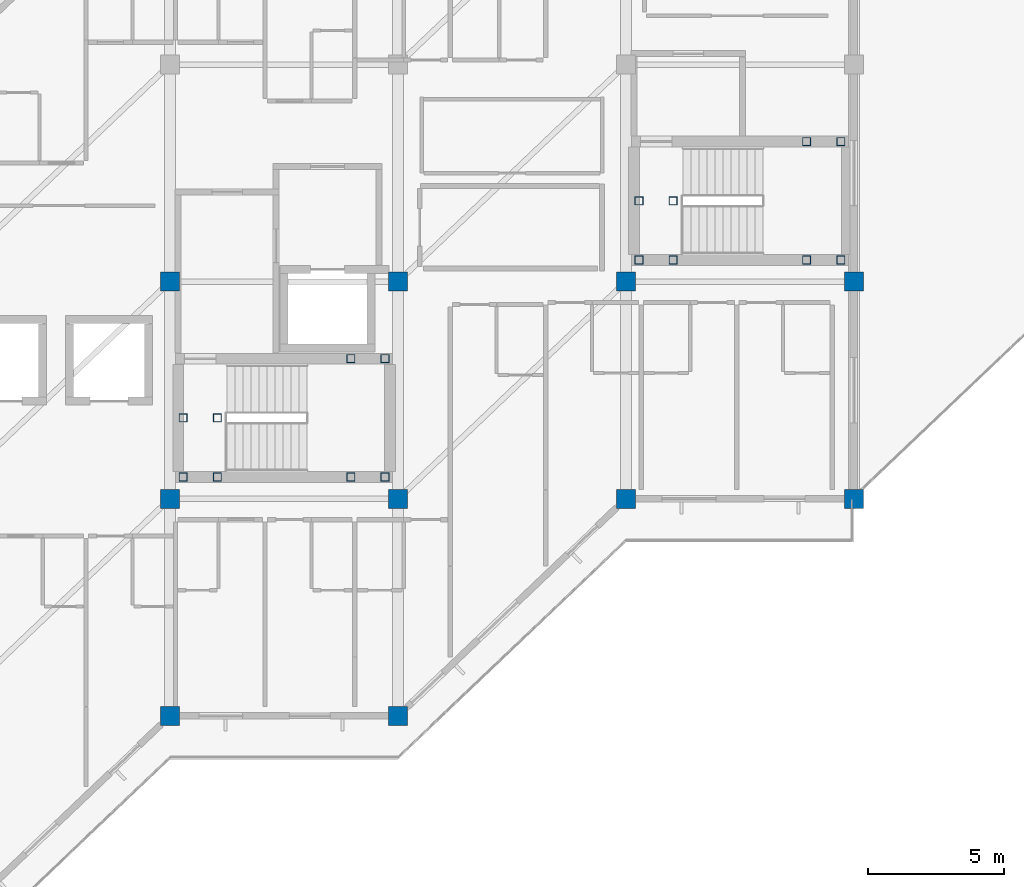
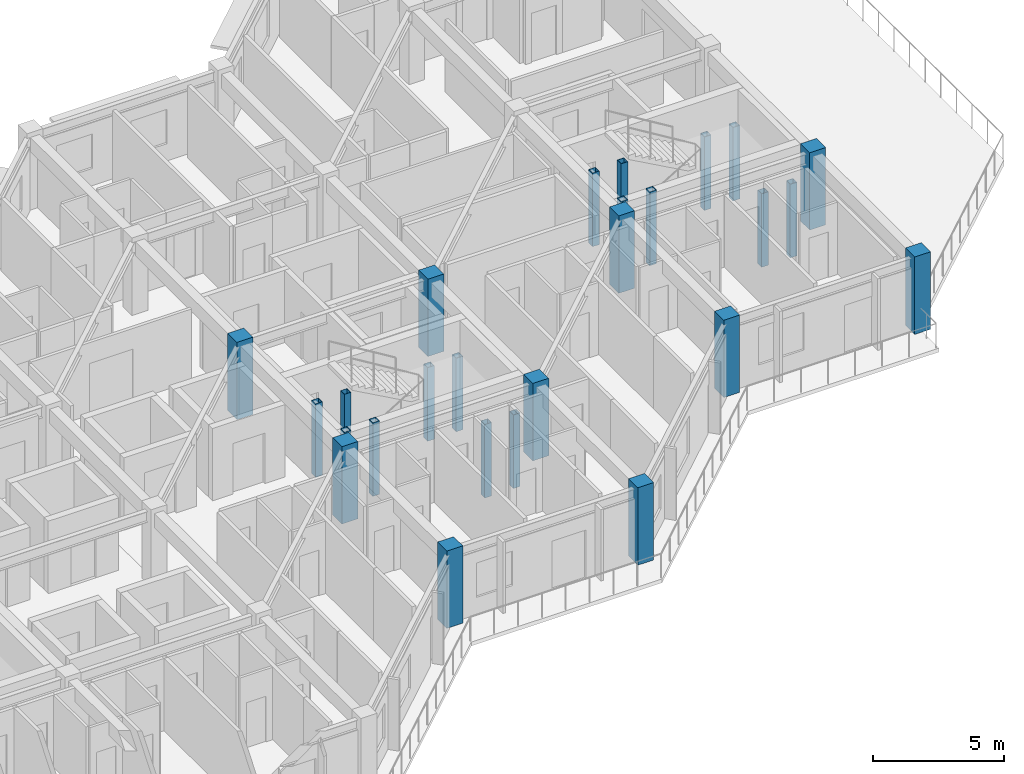
# One storey, part 2 of 16: 26 columns.
"""IFC4 building model written with IfcOpenShell, lengths in metres."""

from ifc_helpers import new_model, si_unit, direction, frame, origin, origin_2d, place, context, subcontext, project, spatial, rectangle, hollow_rectangle, extrude, material, material_profile, profile_set, type_object, element, save


model = new_model("IFC4")

# Units and contexts
model_context = context("Model", 3, precision=1e-05, world=origin(), true_north=direction((0.0, 1.0)))
body_context = subcontext(model_context, "Body", "Model", "MODEL_VIEW")
ifc_project = project(units=[si_unit("LENGTHUNIT", "METRE"), si_unit("AREAUNIT", "SQUARE_METRE"), si_unit("VOLUMEUNIT", "CUBIC_METRE"), si_unit("PLANEANGLEUNIT", "RADIAN"), si_unit("MASSUNIT", "GRAM", prefix="KILO")], contexts=[model_context])

# Site, building, storey
site_placement = place(None, origin())
site = spatial("IfcSite", under=ifc_project, at=site_placement, CompositionType="ELEMENT")
building_placement = place(site_placement, origin())
building = spatial("IfcBuilding", under=site, at=building_placement, Name="Naruveol Harbour Congress Hotel", CompositionType="ELEMENT")
storey_placement = place(building_placement, frame((0.0, 0.0, 28.800048828125)))
storey = spatial("IfcBuildingStorey", under=building, at=storey_placement, Name="L06", CompositionType="ELEMENT", Elevation=28.800048828125)

# Columns
ifc_material_1 = material(Name="Concrete C40/50", Category="concrete")
ifc_material_profile_1 = material_profile(ifc_material_1, rectangle(XDim=0.699951171875, YDim=0.699951171875, at=origin_2d()), Name="RC-700x700")
ifc_profile_set_1 = profile_set([ifc_material_profile_1], Name="Concrete C40/50")
column_type_1 = type_object("IfcColumnType", Name="RC HOTEL COLUMN 700X700", PredefinedType="COLUMN", material=ifc_profile_set_1)
for number, where, z_axis, x_axis, name in (
    (1, (151.199951171875, 8.0, 0.0), (0.0, 0.0, 1.0), (1.0, 0.0, 0.0), "Column C-700 L06 (151.2,8.0)"),
    (2, (151.199951171875, 24.0, 0.0), (0.0, 0.0, 1.0), (1.0, 0.0, 0.0), "Column C-700 L06 (151.2,24.0)"),
    (3, (159.60009765625, 8.0, 0.0), (0.0, 0.0, 1.0), (1.0, 0.0, 0.0), "Column C-700 L06 (159.6,8.0)"),
    (4, (159.60009765625, 24.0, 0.0), (0.0, 0.0, 1.0), (1.0, 0.0, 0.0), "Column C-700 L06 (159.6,24.0)"),
    (5, (168.0, 16.0, 0.0), (0.0, 0.0, 1.0), (1.0, 0.0, 0.0), "Column C-700 L06 (168.0,16.0)"),
    (6, (176.39990234375, 16.0, 0.0), (0.0, 0.0, 1.0), (1.0, 0.0, 0.0), "Column C-700 L06 (176.4,16.0)"),
    (7, (151.199951171875, 16.0, 0.0), (0.0, 0.0, 1.0), (1.0, 0.0, 0.0), "Planted hotel column C-700 L06 S4/J1"),
    (8, (159.60009765625, 16.0, 0.0), (0.0, 0.0, 1.0), (1.0, 0.0, 0.0), "Planted hotel column C-700 L06 S5/J1"),
    (9, (168.0, 24.0, 0.0), (0.0, 0.0, 1.0), (1.0, 0.0, 0.0), "Planted hotel column C-700 L06 S6/J1"),
    (10, (176.39990234375, 24.0, 0.0), (0.0, 0.0, 1.0), (1.0, 0.0, 0.0), "Planted hotel column C-700 L06 S7/J1"),
):
    element("IfcColumn", number, at=place(storey_placement, frame(where, z_axis=z_axis, x_axis=x_axis)), inside=storey, type_object=column_type_1, Name=name, PredefinedType="COLUMN", context=body_context, shape_type="SweptSolid", body=[
        extrude(rectangle(XDim=0.699951171875, YDim=0.699951171875, at=origin_2d()), origin(), (0.0, 0.0, 1.0), 3.599853515625),
    ])
ifc_material_2 = material(Name="Steel SN490", Category="steel")
ifc_material_profile_2 = material_profile(ifc_material_2, hollow_rectangle(XDim=0.300048828125, YDim=0.300048828125, WallThickness=0.011962890625, at=origin_2d()), Name="SHS-300x300x12")
ifc_profile_set_2 = profile_set([ifc_material_profile_2], Name="Steel SN490")
column_type_2 = type_object("IfcColumnType", Name="STEEL COLONNADE POST SHS300", PredefinedType="COLUMN", material=ifc_profile_set_2)
for number, where, z_axis, x_axis, name in (
    (11, (151.679931640625, 16.800048828125, 0.0), (0.0, 0.0, 1.0), (1.0, 0.0, 0.0), "Stair landing support post ST2W #104"),
    (12, (151.679931640625, 18.97998046875, 0.0), (0.0, 0.0, 1.0), (1.0, 0.0, 0.0), "Stair landing support post ST2W #116"),
    (13, (152.93994140625, 16.800048828125, 0.0), (0.0, 0.0, 1.0), (1.0, 0.0, 0.0), "Stair landing support post ST2W #128"),
    (14, (152.93994140625, 18.97998046875, 0.0), (0.0, 0.0, 1.0), (1.0, 0.0, 0.0), "Stair landing support post ST2W #140"),
    (15, (157.860107421875, 16.800048828125, -1.800048828125), (0.0, 0.0, 1.0), (1.0, 0.0, 0.0), "Stair landing support post ST2E #152"),
    (16, (157.860107421875, 21.159912109375, -1.800048828125), (0.0, 0.0, 1.0), (1.0, 0.0, 0.0), "Stair landing support post ST2E #164"),
    (17, (159.1201171875, 16.800048828125, -1.800048828125), (0.0, 0.0, 1.0), (1.0, 0.0, 0.0), "Stair landing support post ST2E #176"),
    (18, (159.1201171875, 21.159912109375, -1.800048828125), (0.0, 0.0, 1.0), (1.0, 0.0, 0.0), "Stair landing support post ST2E #188"),
    (19, (168.47998046875, 24.800048828125, 0.0), (0.0, 0.0, 1.0), (1.0, 0.0, 0.0), "Stair landing support post ST4W #280"),
    (20, (168.47998046875, 26.97998046875, 0.0), (0.0, 0.0, 1.0), (1.0, 0.0, 0.0), "Stair landing support post ST4W #288"),
    (21, (169.739990234375, 24.800048828125, 0.0), (0.0, 0.0, 1.0), (1.0, 0.0, 0.0), "Stair landing support post ST4W #296"),
    (22, (169.739990234375, 26.97998046875, 0.0), (0.0, 0.0, 1.0), (1.0, 0.0, 0.0), "Stair landing support post ST4W #304"),
    (23, (174.659912109375, 24.800048828125, -1.800048828125), (0.0, 0.0, 1.0), (1.0, 0.0, 0.0), "Stair landing support post ST4E #312"),
    (24, (174.659912109375, 29.159912109375, -1.800048828125), (0.0, 0.0, 1.0), (1.0, 0.0, 0.0), "Stair landing support post ST4E #320"),
    (25, (175.919921875, 24.800048828125, -1.800048828125), (0.0, 0.0, 1.0), (1.0, 0.0, 0.0), "Stair landing support post ST4E #328"),
    (26, (175.919921875, 29.159912109375, -1.800048828125), (0.0, 0.0, 1.0), (1.0, 0.0, 0.0), "Stair landing support post ST4E #336"),
):
    element("IfcColumn", number, at=place(storey_placement, frame(where, z_axis=z_axis, x_axis=x_axis)), inside=storey, type_object=column_type_2, Name=name, PredefinedType="COLUMN", context=body_context, shape_type="SweptSolid", body=[
        extrude(hollow_rectangle(XDim=0.300048828125, YDim=0.300048828125, WallThickness=0.011962890625, at=origin_2d()), origin(), (0.0, 0.0, 1.0), 3.419921875),
    ])

save(model, "model.ifc")
